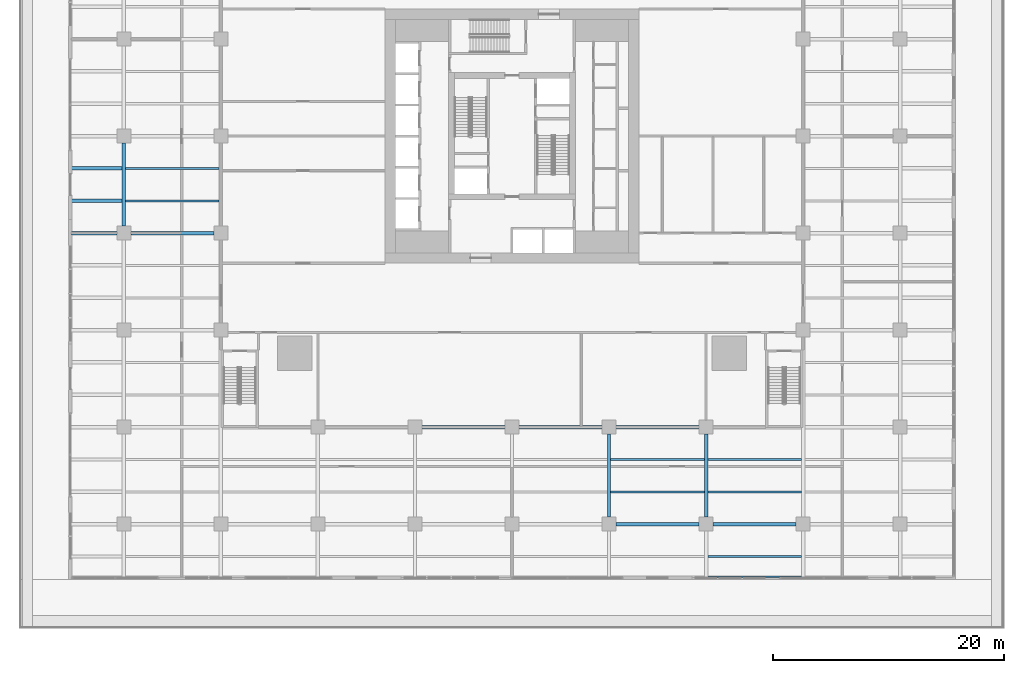
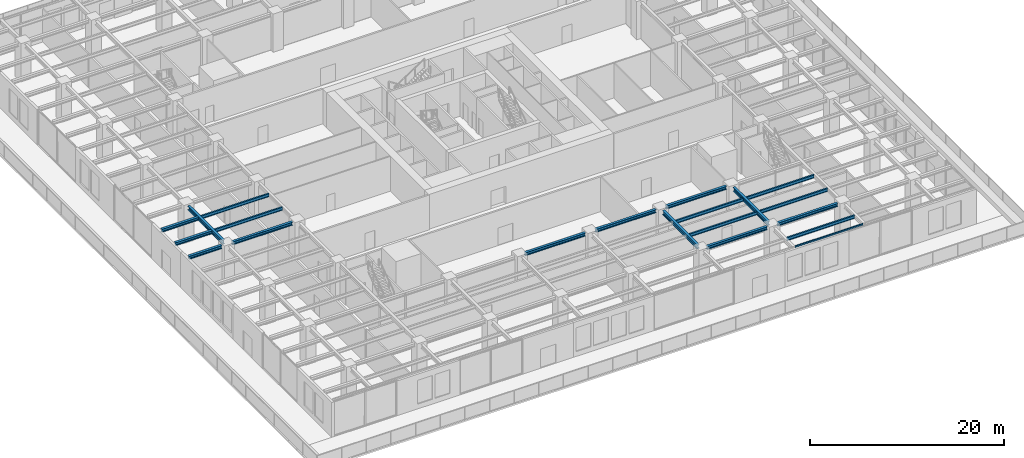
# One storey, part 5 of 32: 20 beams.
"""IFC4 building model written with IfcOpenShell, lengths in metres."""

from ifc_helpers import new_model, si_unit, direction, frame, origin, origin_2d, place, context, subcontext, project, spatial, i_section, extrude, material, material_profile, profile_set, type_object, element, save


model = new_model("IFC4")

# Units and contexts
model_context = context("Model", 3, precision=1e-05, world=origin(), true_north=direction((0.0, 1.0)))
body_context = subcontext(model_context, "Body", "Model", "MODEL_VIEW")
ifc_project = project(units=[si_unit("LENGTHUNIT", "METRE"), si_unit("AREAUNIT", "SQUARE_METRE"), si_unit("VOLUMEUNIT", "CUBIC_METRE"), si_unit("PLANEANGLEUNIT", "RADIAN"), si_unit("MASSUNIT", "GRAM", prefix="KILO")], contexts=[model_context])

# Site, building, storey
site_placement = place(None, origin())
site = spatial("IfcSite", under=ifc_project, at=site_placement, CompositionType="ELEMENT")
building_placement = place(site_placement, origin())
building = spatial("IfcBuilding", under=site, at=building_placement, Name="Khepri Terraces", CompositionType="ELEMENT")
storey_placement = place(building_placement, frame((0.0, 0.0, 12.0)))
storey = spatial("IfcBuildingStorey", under=building, at=storey_placement, Name="L02", CompositionType="ELEMENT", Elevation=12.0)

# Beams
ifc_material = material(Name="Steel S355", Category="steel")
ifc_material_profile_1 = material_profile(ifc_material, i_section(OverallWidth=0.300048828125, OverallDepth=0.389892578125, WebThickness=0.010986328125, FlangeThickness=0.01904296875, FilletRadius=0.027099609375, at=origin_2d()), Name="Steel S355", Category="steel")
ifc_profile_set_1 = profile_set([ifc_material_profile_1], Name="Steel S355")
beam_type_1 = type_object("IfcBeamType", Name="Podium cantilever joist L03 HEA 400", PredefinedType="JOIST", material=ifc_profile_set_1)
for number, where, z_axis, x_axis, name in (
    (1, (-38.14990234375, -5.60009765625, 4.405029296875), (1.0, 0.0, 0.0), (0.0, 1.0, 0.0), "Podium cantilever joist L03 073"),
    (2, (-38.14990234375, -2.800048828125, 4.405029296875), (1.0, 0.0, 0.0), (0.0, 1.0, 0.0), "Podium cantilever joist L03 077"),
):
    element("IfcBeam", number, at=place(storey_placement, frame(where, z_axis=z_axis, x_axis=x_axis)), inside=storey, type_object=beam_type_1, Name=name, PredefinedType="JOIST", context=body_context, shape_type="SweptSolid", body=[
        extrude(i_section(OverallWidth=0.300048828125, OverallDepth=0.389892578125, WebThickness=0.010986328125, FlangeThickness=0.01904296875, FilletRadius=0.027099609375, at=origin_2d()), origin(), (0.0, 0.0, 1.0), 4.39990234375),
    ])
ifc_material_profile_2 = material_profile(ifc_material, i_section(OverallWidth=0.1201171875, OverallDepth=0.239990234375, WebThickness=0.006103515625, FlangeThickness=0.009765625, FilletRadius=0.014892578125, at=origin_2d()), Name="Steel S355", Category="steel")
ifc_profile_set_2 = profile_set([ifc_material_profile_2], Name="Steel S355")
beam_type_2 = type_object("IfcBeamType", Name="Podium edge beam L03 IPE 240", PredefinedType="SPANDREL", material=ifc_profile_set_2)
beam_1_placement = place(storey_placement, frame((16.949951171875, -38.14990234375, 4.47998046875), z_axis=(1.0, 0.0, 0.0), x_axis=(0.0, 1.0, 0.0)))
element("IfcBeam", 3, at=beam_1_placement, inside=storey, type_object=beam_type_2, Name="Podium edge beam L03 008", PredefinedType="SPANDREL", context=body_context, shape_type="SweptSolid", body=[
    extrude(i_section(OverallWidth=0.1201171875, OverallDepth=0.239990234375, WebThickness=0.006103515625, FlangeThickness=0.009765625, FilletRadius=0.014892578125, at=origin_2d()), origin(), (0.0, 0.0, 1.0), 8.10009765625),
])
ifc_material_profile_3 = material_profile(ifc_material, i_section(OverallWidth=0.300048828125, OverallDepth=0.5, WebThickness=0.014404296875, FlangeThickness=0.028076171875, FilletRadius=0.027099609375, at=origin_2d()), Name="Steel S355", Category="steel")
ifc_profile_set_3 = profile_set([ifc_material_profile_3], Name="Steel S355")
beam_type_3 = type_object("IfcBeamType", Name="Podium girder L03 HEB 500", PredefinedType="BEAM", material=ifc_profile_set_3)
for number, where, z_axis, x_axis, name in (
    (4, (-33.60009765625, -7.800048828125, 4.35009765625), (0.0, 1.0, 0.0), (-1.0, 0.0, 0.0), "Podium girder L03 005"),
    (5, (8.39990234375, -33.0, 4.35009765625), (0.0, 1.0, 0.0), (-1.0, 0.0, 0.0), "Podium girder L03 032"),
    (6, (16.800048828125, -33.0, 4.35009765625), (0.0, 1.0, 0.0), (-1.0, 0.0, 0.0), "Podium girder L03 036"),
):
    element("IfcBeam", number, at=place(storey_placement, frame(where, z_axis=z_axis, x_axis=x_axis)), inside=storey, type_object=beam_type_3, Name=name, PredefinedType="BEAM", context=body_context, shape_type="SweptSolid", body=[
        extrude(i_section(OverallWidth=0.300048828125, OverallDepth=0.5, WebThickness=0.014404296875, FlangeThickness=0.028076171875, FilletRadius=0.027099609375, at=origin_2d()), origin(), (0.0, 0.0, 1.0), 7.199951171875),
    ])
ifc_material_profile_4 = material_profile(ifc_material, i_section(OverallWidth=0.300048828125, OverallDepth=0.39990234375, WebThickness=0.013427734375, FlangeThickness=0.02392578125, FilletRadius=0.027099609375, at=origin_2d()), Name="Steel S355", Category="steel")
ifc_profile_set_4 = profile_set([ifc_material_profile_4], Name="Steel S355")
beam_type_4 = type_object("IfcBeamType", Name="Podium girder L03 grid line HEB 400", PredefinedType="BEAM", material=ifc_profile_set_4)
beam_2_placement = place(storey_placement, frame((9.0, -33.60009765625, 4.39990234375), z_axis=(1.0, 0.0, 0.0), x_axis=(0.0, 1.0, 0.0)))
element("IfcBeam", 7, at=beam_2_placement, inside=storey, type_object=beam_type_4, Name="Podium grid-line girder L03 017", PredefinedType="BEAM", context=body_context, shape_type="SweptSolid", body=[
    extrude(i_section(OverallWidth=0.300048828125, OverallDepth=0.39990234375, WebThickness=0.013427734375, FlangeThickness=0.02392578125, FilletRadius=0.027099609375, at=origin_2d()), origin(), (0.0, 0.0, 1.0), 7.199951171875),
])
beam_3_placement = place(storey_placement, frame((17.39990234375, -33.60009765625, 4.39990234375), z_axis=(1.0, 0.0, 0.0), x_axis=(0.0, 1.0, 0.0)))
element("IfcBeam", 8, at=beam_3_placement, inside=storey, type_object=beam_type_4, Name="Podium grid-line girder L03 018", PredefinedType="BEAM", context=body_context, shape_type="SweptSolid", body=[
    extrude(i_section(OverallWidth=0.300048828125, OverallDepth=0.39990234375, WebThickness=0.013427734375, FlangeThickness=0.02392578125, FilletRadius=0.027099609375, at=origin_2d()), origin(), (0.0, 0.0, 1.0), 7.2001953125),
])
for number, where, z_axis, x_axis, name in (
    (9, (-7.800048828125, -25.199951171875, 4.39990234375), (1.0, 0.0, 0.0), (0.0, 1.0, 0.0), "Podium grid-line girder L03 044"),
    (10, (0.60009765625, -25.199951171875, 4.39990234375), (1.0, 0.0, 0.0), (0.0, 1.0, 0.0), "Podium grid-line girder L03 045"),
    (11, (9.0, -25.199951171875, 4.39990234375), (1.0, 0.0, 0.0), (0.0, 1.0, 0.0), "Podium grid-line girder L03 046"),
):
    element("IfcBeam", number, at=place(storey_placement, frame(where, z_axis=z_axis, x_axis=x_axis)), inside=storey, type_object=beam_type_4, Name=name, PredefinedType="BEAM", context=body_context, shape_type="SweptSolid", body=[
        extrude(i_section(OverallWidth=0.300048828125, OverallDepth=0.39990234375, WebThickness=0.013427734375, FlangeThickness=0.02392578125, FilletRadius=0.027099609375, at=origin_2d()), origin(), (0.0, 0.0, 1.0), 7.199951171875),
    ])
beam_4_placement = place(storey_placement, frame((-38.14990234375, -8.39990234375, 4.39990234375), z_axis=(1.0, 0.0, 0.0), x_axis=(0.0, 1.0, 0.0)))
element("IfcBeam", 12, at=beam_4_placement, inside=storey, type_object=beam_type_4, Name="Podium grid-line girder L03 069", PredefinedType="BEAM", context=body_context, shape_type="SweptSolid", body=[
    extrude(i_section(OverallWidth=0.300048828125, OverallDepth=0.39990234375, WebThickness=0.013427734375, FlangeThickness=0.02392578125, FilletRadius=0.027099609375, at=origin_2d()), origin(), (0.0, 0.0, 1.0), 3.949951171875),
])
beam_5_placement = place(storey_placement, frame((-33.0, -8.39990234375, 4.39990234375), z_axis=(1.0, 0.0, 0.0), x_axis=(0.0, 1.0, 0.0)))
element("IfcBeam", 13, at=beam_5_placement, inside=storey, type_object=beam_type_4, Name="Podium grid-line girder L03 070", PredefinedType="BEAM", context=body_context, shape_type="SweptSolid", body=[
    extrude(i_section(OverallWidth=0.300048828125, OverallDepth=0.39990234375, WebThickness=0.013427734375, FlangeThickness=0.02392578125, FilletRadius=0.027099609375, at=origin_2d()), origin(), (0.0, 0.0, 1.0), 7.199951171875),
])
ifc_material_profile_5 = material_profile(ifc_material, i_section(OverallWidth=0.179931640625, OverallDepth=0.39990234375, WebThickness=0.008544921875, FlangeThickness=0.013427734375, FilletRadius=0.02099609375, at=origin_2d()), Name="Steel S355", Category="steel")
ifc_profile_set_5 = profile_set([ifc_material_profile_5], Name="Steel S355")
beam_type_5 = type_object("IfcBeamType", Name="Podium joist L03 IPE 400", PredefinedType="JOIST", material=ifc_profile_set_5)
beam_6_placement = place(storey_placement, frame((16.949951171875, -36.39990234375, 4.39990234375), z_axis=(1.0, 0.0, 0.0), x_axis=(0.0, 1.0, 0.0)))
element("IfcBeam", 14, at=beam_6_placement, inside=storey, type_object=beam_type_5, Name="Podium joist L03 008", PredefinedType="JOIST", context=body_context, shape_type="SweptSolid", body=[
    extrude(i_section(OverallWidth=0.179931640625, OverallDepth=0.39990234375, WebThickness=0.008544921875, FlangeThickness=0.013427734375, FilletRadius=0.02099609375, at=origin_2d()), origin(), (0.0, 0.0, 1.0), 8.10009765625),
])
beam_7_placement = place(storey_placement, frame((8.550048828125, -30.800048828125, 4.39990234375), z_axis=(1.0, 0.0, 0.0), x_axis=(0.0, 1.0, 0.0)))
element("IfcBeam", 15, at=beam_7_placement, inside=storey, type_object=beam_type_5, Name="Podium joist L03 027", PredefinedType="JOIST", context=body_context, shape_type="SweptSolid", body=[
    extrude(i_section(OverallWidth=0.179931640625, OverallDepth=0.39990234375, WebThickness=0.008544921875, FlangeThickness=0.013427734375, FilletRadius=0.02099609375, at=origin_2d()), origin(), (0.0, 0.0, 1.0), 8.099853515625),
])
beam_8_placement = place(storey_placement, frame((16.949951171875, -30.800048828125, 4.39990234375), z_axis=(1.0, 0.0, 0.0), x_axis=(0.0, 1.0, 0.0)))
element("IfcBeam", 16, at=beam_8_placement, inside=storey, type_object=beam_type_5, Name="Podium joist L03 028", PredefinedType="JOIST", context=body_context, shape_type="SweptSolid", body=[
    extrude(i_section(OverallWidth=0.179931640625, OverallDepth=0.39990234375, WebThickness=0.008544921875, FlangeThickness=0.013427734375, FilletRadius=0.02099609375, at=origin_2d()), origin(), (0.0, 0.0, 1.0), 8.10009765625),
])
beam_9_placement = place(storey_placement, frame((8.550048828125, -28.0, 4.39990234375), z_axis=(1.0, 0.0, 0.0), x_axis=(0.0, 1.0, 0.0)))
element("IfcBeam", 17, at=beam_9_placement, inside=storey, type_object=beam_type_5, Name="Podium joist L03 037", PredefinedType="JOIST", context=body_context, shape_type="SweptSolid", body=[
    extrude(i_section(OverallWidth=0.179931640625, OverallDepth=0.39990234375, WebThickness=0.008544921875, FlangeThickness=0.013427734375, FilletRadius=0.02099609375, at=origin_2d()), origin(), (0.0, 0.0, 1.0), 8.099853515625),
])
beam_10_placement = place(storey_placement, frame((16.949951171875, -28.0, 4.39990234375), z_axis=(1.0, 0.0, 0.0), x_axis=(0.0, 1.0, 0.0)))
element("IfcBeam", 18, at=beam_10_placement, inside=storey, type_object=beam_type_5, Name="Podium joist L03 038", PredefinedType="JOIST", context=body_context, shape_type="SweptSolid", body=[
    extrude(i_section(OverallWidth=0.179931640625, OverallDepth=0.39990234375, WebThickness=0.008544921875, FlangeThickness=0.013427734375, FilletRadius=0.02099609375, at=origin_2d()), origin(), (0.0, 0.0, 1.0), 8.10009765625),
])
for number, where, z_axis, x_axis, name in (
    (19, (-33.449951171875, -5.60009765625, 4.39990234375), (1.0, 0.0, 0.0), (0.0, 1.0, 0.0), "Podium joist L03 074"),
    (20, (-33.449951171875, -2.800048828125, 4.39990234375), (1.0, 0.0, 0.0), (0.0, 1.0, 0.0), "Podium joist L03 078"),
):
    element("IfcBeam", number, at=place(storey_placement, frame(where, z_axis=z_axis, x_axis=x_axis)), inside=storey, type_object=beam_type_5, Name=name, PredefinedType="JOIST", context=body_context, shape_type="SweptSolid", body=[
        extrude(i_section(OverallWidth=0.179931640625, OverallDepth=0.39990234375, WebThickness=0.008544921875, FlangeThickness=0.013427734375, FilletRadius=0.02099609375, at=origin_2d()), origin(), (0.0, 0.0, 1.0), 8.099853515625),
    ])

save(model, "model.ifc")
